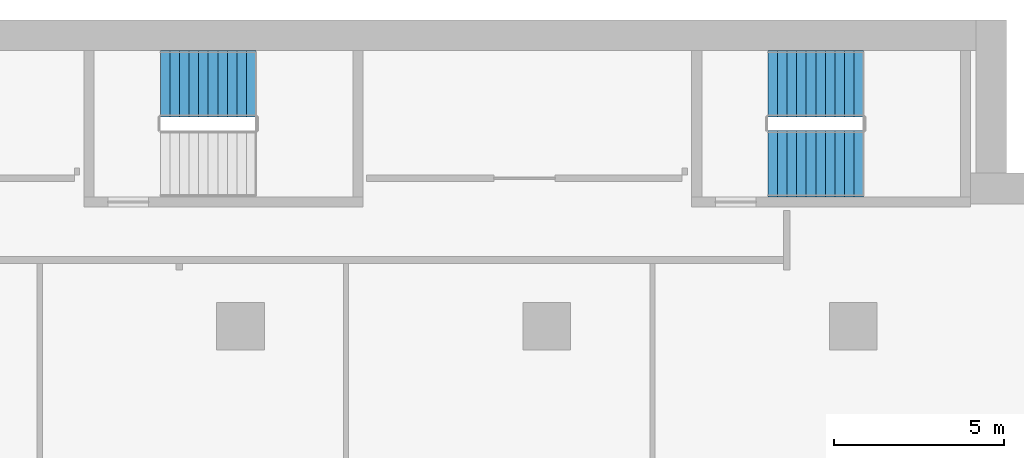
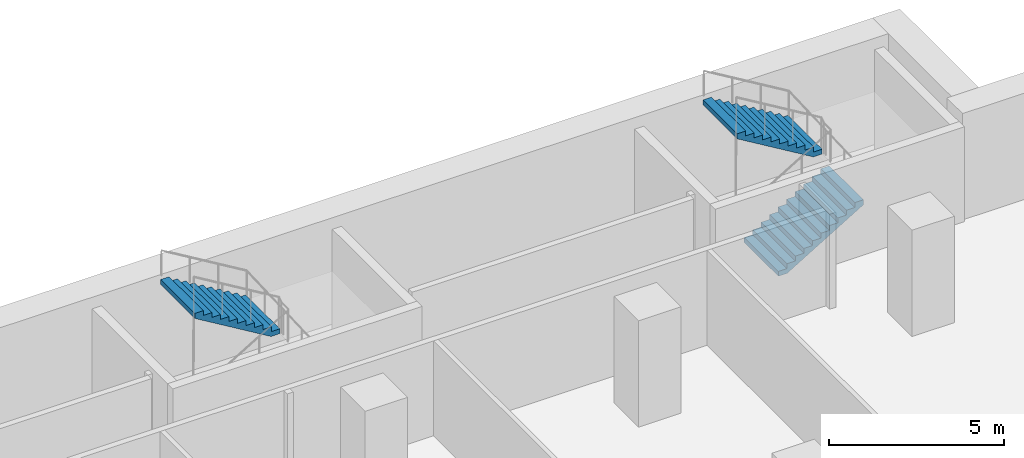
# One storey, part 23 of 29: 3 stair flights, 2 elements without a shape of their own.
"""IFC4 building model written with IfcOpenShell, lengths in metres."""

from ifc_helpers import new_model, si_unit, direction, frame, origin, place, context, subcontext, project, spatial, polyline, outline, extrude, material, type_object, element, aggregate, save


model = new_model("IFC4")

# Units and contexts
model_context = context("Model", 3, precision=1e-05, world=origin(), true_north=direction((0.0, 1.0)))
body_context = subcontext(model_context, "Body", "Model", "MODEL_VIEW")
ifc_project = project(units=[si_unit("LENGTHUNIT", "METRE"), si_unit("AREAUNIT", "SQUARE_METRE"), si_unit("VOLUMEUNIT", "CUBIC_METRE"), si_unit("PLANEANGLEUNIT", "RADIAN"), si_unit("MASSUNIT", "GRAM", prefix="KILO")], contexts=[model_context])

# Site, building, storey
site_placement = place(None, origin())
site = spatial("IfcSite", under=ifc_project, at=site_placement, CompositionType="ELEMENT")
building_placement = place(site_placement, origin())
building = spatial("IfcBuilding", under=site, at=building_placement, Name="Hunhe Ridgeline Campus", CompositionType="ELEMENT")
storey_placement = place(building_placement, frame((0.0, 0.0, 54.300048828125)))
storey = spatial("IfcBuildingStorey", under=building, at=storey_placement, Name="L12", CompositionType="ELEMENT", Elevation=54.300048828125)

# Stair, stair flight
ifc_material = material(Name="Concrete C40", Category="concrete")
stair_type = type_object("IfcStairType", Name="Reinforced concrete dog-leg stair 1950 Concrete C40", PredefinedType="HALF_TURN_STAIR", material=ifc_material)
stair_1_placement = place(storey_placement, origin())
stair_1 = element("IfcStair", 1, at=stair_1_placement, inside=storey, type_object=stair_type, Name="L12 E3", PredefinedType="HALF_TURN_STAIR")
stair_flight_type = type_object("IfcStairFlightType", Name="Reinforced concrete stair flight 1950 Concrete C40", PredefinedType="STRAIGHT", material=ifc_material)
stair_flight_1_placement = place(storey_placement, frame((72.449951171875, 97.125, 1.849853515625), z_axis=(0.0, 0.0, 1.0), x_axis=(-1.0, 0.0, 0.0)))
stair_flight_1 = element("IfcStairFlight", 2, at=stair_flight_1_placement, type_object=stair_flight_type, Name="ST7 flight 2", NumberOfRisers=11, NumberOfTreads=10, PredefinedType="STRAIGHT", RiserHeight=0.168181818, TreadLength=0.28, context=body_context, shape_type="SweptSolid", body=[
    extrude(outline(polyline([(0.0, 0.0), (0.0, 0.168212890625), (0.280029296875, 0.168212890625), (0.280029296875, 0.33642578125), (0.56005859375, 0.33642578125), (0.56005859375, 0.504638671875), (0.840087890625, 0.504638671875), (0.840087890625, 0.672607421875), (1.1201171875, 0.672607421875), (1.1201171875, 0.8408203125), (1.39990234375, 0.8408203125), (1.39990234375, 1.009033203125), (1.679931640625, 1.009033203125), (1.679931640625, 1.17724609375), (1.9599609375, 1.17724609375), (1.9599609375, 1.345458984375), (2.239990234375, 1.345458984375), (2.239990234375, 1.513671875), (2.52001953125, 1.513671875), (2.52001953125, 1.681884765625), (2.800048828125, 1.681884765625), (2.800048828125, 1.85009765625), (2.800048828125, 1.5068359375), (0.291015625, 0.0), (0.0, 0.0)])), frame((0.0, 0.97509765625, 0.0), z_axis=(0.0, -1.0, 0.0), x_axis=(1.0, 0.0, 0.0)), (0.0, 0.0, 1.0), 1.949951171875),
    extrude(outline(polyline([(0.030029296875, 0.030029296875), (0.030029296875, 0.13818359375), (0.31005859375, 0.13818359375), (0.31005859375, 0.306396484375), (0.590087890625, 0.306396484375), (0.590087890625, 0.474609375), (0.8701171875, 0.474609375), (0.8701171875, 0.642578125), (1.14990234375, 0.642578125), (1.14990234375, 0.810791015625), (1.429931640625, 0.810791015625), (1.429931640625, 0.97900390625), (1.7099609375, 0.97900390625), (1.7099609375, 1.147216796875), (1.989990234375, 1.147216796875), (1.989990234375, 1.3154296875), (2.27001953125, 1.3154296875), (2.27001953125, 1.483642578125), (2.550048828125, 1.483642578125), (2.550048828125, 1.65185546875), (2.77001953125, 1.65185546875), (2.77001953125, 1.52392578125), (0.28271484375, 0.030029296875), (0.030029296875, 0.030029296875)])), frame((0.0, -0.070068359375, 0.0), z_axis=(0.0, -1.0, 0.0), x_axis=(1.0, 0.0, 0.0)), (0.0, 0.0, 1.0), 0.019775390625),
    extrude(outline(polyline([(0.030029296875, 0.030029296875), (0.030029296875, 0.13818359375), (0.31005859375, 0.13818359375), (0.31005859375, 0.306396484375), (0.590087890625, 0.306396484375), (0.590087890625, 0.474609375), (0.8701171875, 0.474609375), (0.8701171875, 0.642578125), (1.14990234375, 0.642578125), (1.14990234375, 0.810791015625), (1.429931640625, 0.810791015625), (1.429931640625, 0.97900390625), (1.7099609375, 0.97900390625), (1.7099609375, 1.147216796875), (1.989990234375, 1.147216796875), (1.989990234375, 1.3154296875), (2.27001953125, 1.3154296875), (2.27001953125, 1.483642578125), (2.550048828125, 1.483642578125), (2.550048828125, 1.65185546875), (2.77001953125, 1.65185546875), (2.77001953125, 1.52392578125), (0.28271484375, 0.030029296875), (0.030029296875, 0.030029296875)])), frame((0.0, 0.010009765625, 0.0), z_axis=(0.0, -1.0, 0.0), x_axis=(1.0, 0.0, 0.0)), (0.0, 0.0, 1.0), 0.019775390625),
    extrude(outline(polyline([(0.030029296875, 0.030029296875), (0.030029296875, 0.13818359375), (0.31005859375, 0.13818359375), (0.31005859375, 0.306396484375), (0.590087890625, 0.306396484375), (0.590087890625, 0.474609375), (0.8701171875, 0.474609375), (0.8701171875, 0.642578125), (1.14990234375, 0.642578125), (1.14990234375, 0.810791015625), (1.429931640625, 0.810791015625), (1.429931640625, 0.97900390625), (1.7099609375, 0.97900390625), (1.7099609375, 1.147216796875), (1.989990234375, 1.147216796875), (1.989990234375, 1.3154296875), (2.27001953125, 1.3154296875), (2.27001953125, 1.483642578125), (2.550048828125, 1.483642578125), (2.550048828125, 1.65185546875), (2.77001953125, 1.65185546875), (2.77001953125, 1.52392578125), (0.28271484375, 0.030029296875), (0.030029296875, 0.030029296875)])), frame((0.0, 0.090087890625, 0.0), z_axis=(0.0, -1.0, 0.0), x_axis=(1.0, 0.0, 0.0)), (0.0, 0.0, 1.0), 0.019775390625),
])
aggregate(stair_1, [stair_flight_1])

# Stair, stair flights
stair_2_placement = place(storey_placement, origin())
stair_2 = element("IfcStair", 3, at=stair_2_placement, inside=storey, type_object=stair_type, Name="L12 E4", PredefinedType="HALF_TURN_STAIR")
stair_flight_2_placement = place(storey_placement, frame((87.5, 94.77490234375, 0.0), z_axis=(0.0, 0.0, 1.0), x_axis=(1.0, 0.0, 0.0)))
stair_flight_2 = element("IfcStairFlight", 4, at=stair_flight_2_placement, type_object=stair_flight_type, Name="ST8 flight 1", NumberOfRisers=11, NumberOfTreads=10, PredefinedType="STRAIGHT", RiserHeight=0.168181818, TreadLength=0.28, context=body_context, shape_type="SweptSolid", body=[
    extrude(outline(polyline([(0.0, 0.0), (0.0, 0.168212890625), (0.280029296875, 0.168212890625), (0.280029296875, 0.33642578125), (0.56005859375, 0.33642578125), (0.56005859375, 0.504638671875), (0.840087890625, 0.504638671875), (0.840087890625, 0.672607421875), (1.1201171875, 0.672607421875), (1.1201171875, 0.8408203125), (1.39990234375, 0.8408203125), (1.39990234375, 1.009033203125), (1.679931640625, 1.009033203125), (1.679931640625, 1.17724609375), (1.9599609375, 1.17724609375), (1.9599609375, 1.345458984375), (2.239990234375, 1.345458984375), (2.239990234375, 1.513671875), (2.52001953125, 1.513671875), (2.52001953125, 1.681884765625), (2.800048828125, 1.681884765625), (2.800048828125, 1.85009765625), (2.800048828125, 1.5068359375), (0.291015625, 0.0), (0.0, 0.0)])), frame((0.0, 0.97509765625, 0.0), z_axis=(0.0, -1.0, 0.0), x_axis=(1.0, 0.0, 0.0)), (0.0, 0.0, 1.0), 1.949951171875),
    extrude(outline(polyline([(0.030029296875, 0.030029296875), (0.030029296875, 0.13818359375), (0.31005859375, 0.13818359375), (0.31005859375, 0.306396484375), (0.590087890625, 0.306396484375), (0.590087890625, 0.474609375), (0.8701171875, 0.474609375), (0.8701171875, 0.642578125), (1.14990234375, 0.642578125), (1.14990234375, 0.810791015625), (1.429931640625, 0.810791015625), (1.429931640625, 0.97900390625), (1.7099609375, 0.97900390625), (1.7099609375, 1.147216796875), (1.989990234375, 1.147216796875), (1.989990234375, 1.3154296875), (2.27001953125, 1.3154296875), (2.27001953125, 1.483642578125), (2.550048828125, 1.483642578125), (2.550048828125, 1.65185546875), (2.77001953125, 1.65185546875), (2.77001953125, 1.52392578125), (0.28271484375, 0.030029296875), (0.030029296875, 0.030029296875)])), frame((0.0, -0.070068359375, 0.0), z_axis=(0.0, -1.0, 0.0), x_axis=(1.0, 0.0, 0.0)), (0.0, 0.0, 1.0), 0.019775390625),
    extrude(outline(polyline([(0.030029296875, 0.030029296875), (0.030029296875, 0.13818359375), (0.31005859375, 0.13818359375), (0.31005859375, 0.306396484375), (0.590087890625, 0.306396484375), (0.590087890625, 0.474609375), (0.8701171875, 0.474609375), (0.8701171875, 0.642578125), (1.14990234375, 0.642578125), (1.14990234375, 0.810791015625), (1.429931640625, 0.810791015625), (1.429931640625, 0.97900390625), (1.7099609375, 0.97900390625), (1.7099609375, 1.147216796875), (1.989990234375, 1.147216796875), (1.989990234375, 1.3154296875), (2.27001953125, 1.3154296875), (2.27001953125, 1.483642578125), (2.550048828125, 1.483642578125), (2.550048828125, 1.65185546875), (2.77001953125, 1.65185546875), (2.77001953125, 1.52392578125), (0.28271484375, 0.030029296875), (0.030029296875, 0.030029296875)])), frame((0.0, 0.010009765625, 0.0), z_axis=(0.0, -1.0, 0.0), x_axis=(1.0, 0.0, 0.0)), (0.0, 0.0, 1.0), 0.019775390625),
    extrude(outline(polyline([(0.030029296875, 0.030029296875), (0.030029296875, 0.13818359375), (0.31005859375, 0.13818359375), (0.31005859375, 0.306396484375), (0.590087890625, 0.306396484375), (0.590087890625, 0.474609375), (0.8701171875, 0.474609375), (0.8701171875, 0.642578125), (1.14990234375, 0.642578125), (1.14990234375, 0.810791015625), (1.429931640625, 0.810791015625), (1.429931640625, 0.97900390625), (1.7099609375, 0.97900390625), (1.7099609375, 1.147216796875), (1.989990234375, 1.147216796875), (1.989990234375, 1.3154296875), (2.27001953125, 1.3154296875), (2.27001953125, 1.483642578125), (2.550048828125, 1.483642578125), (2.550048828125, 1.65185546875), (2.77001953125, 1.65185546875), (2.77001953125, 1.52392578125), (0.28271484375, 0.030029296875), (0.030029296875, 0.030029296875)])), frame((0.0, 0.090087890625, 0.0), z_axis=(0.0, -1.0, 0.0), x_axis=(1.0, 0.0, 0.0)), (0.0, 0.0, 1.0), 0.019775390625),
])
stair_flight_3_placement = place(storey_placement, frame((90.300048828125, 97.125, 1.849853515625), z_axis=(0.0, 0.0, 1.0), x_axis=(-1.0, 0.0, 0.0)))
stair_flight_3 = element("IfcStairFlight", 5, at=stair_flight_3_placement, type_object=stair_flight_type, Name="ST8 flight 2", NumberOfRisers=11, NumberOfTreads=10, PredefinedType="STRAIGHT", RiserHeight=0.168181818, TreadLength=0.28, context=body_context, shape_type="SweptSolid", body=[
    extrude(outline(polyline([(0.0, 0.0), (0.0, 0.168212890625), (0.280029296875, 0.168212890625), (0.280029296875, 0.33642578125), (0.56005859375, 0.33642578125), (0.56005859375, 0.504638671875), (0.840087890625, 0.504638671875), (0.840087890625, 0.672607421875), (1.1201171875, 0.672607421875), (1.1201171875, 0.8408203125), (1.39990234375, 0.8408203125), (1.39990234375, 1.009033203125), (1.679931640625, 1.009033203125), (1.679931640625, 1.17724609375), (1.9599609375, 1.17724609375), (1.9599609375, 1.345458984375), (2.239990234375, 1.345458984375), (2.239990234375, 1.513671875), (2.52001953125, 1.513671875), (2.52001953125, 1.681884765625), (2.800048828125, 1.681884765625), (2.800048828125, 1.85009765625), (2.800048828125, 1.5068359375), (0.291015625, 0.0), (0.0, 0.0)])), frame((0.0, 0.97509765625, 0.0), z_axis=(0.0, -1.0, 0.0), x_axis=(1.0, 0.0, 0.0)), (0.0, 0.0, 1.0), 1.949951171875),
    extrude(outline(polyline([(0.030029296875, 0.030029296875), (0.030029296875, 0.13818359375), (0.31005859375, 0.13818359375), (0.31005859375, 0.306396484375), (0.590087890625, 0.306396484375), (0.590087890625, 0.474609375), (0.8701171875, 0.474609375), (0.8701171875, 0.642578125), (1.14990234375, 0.642578125), (1.14990234375, 0.810791015625), (1.429931640625, 0.810791015625), (1.429931640625, 0.97900390625), (1.7099609375, 0.97900390625), (1.7099609375, 1.147216796875), (1.989990234375, 1.147216796875), (1.989990234375, 1.3154296875), (2.27001953125, 1.3154296875), (2.27001953125, 1.483642578125), (2.550048828125, 1.483642578125), (2.550048828125, 1.65185546875), (2.77001953125, 1.65185546875), (2.77001953125, 1.52392578125), (0.28271484375, 0.030029296875), (0.030029296875, 0.030029296875)])), frame((0.0, -0.070068359375, 0.0), z_axis=(0.0, -1.0, 0.0), x_axis=(1.0, 0.0, 0.0)), (0.0, 0.0, 1.0), 0.019775390625),
    extrude(outline(polyline([(0.030029296875, 0.030029296875), (0.030029296875, 0.13818359375), (0.31005859375, 0.13818359375), (0.31005859375, 0.306396484375), (0.590087890625, 0.306396484375), (0.590087890625, 0.474609375), (0.8701171875, 0.474609375), (0.8701171875, 0.642578125), (1.14990234375, 0.642578125), (1.14990234375, 0.810791015625), (1.429931640625, 0.810791015625), (1.429931640625, 0.97900390625), (1.7099609375, 0.97900390625), (1.7099609375, 1.147216796875), (1.989990234375, 1.147216796875), (1.989990234375, 1.3154296875), (2.27001953125, 1.3154296875), (2.27001953125, 1.483642578125), (2.550048828125, 1.483642578125), (2.550048828125, 1.65185546875), (2.77001953125, 1.65185546875), (2.77001953125, 1.52392578125), (0.28271484375, 0.030029296875), (0.030029296875, 0.030029296875)])), frame((0.0, 0.010009765625, 0.0), z_axis=(0.0, -1.0, 0.0), x_axis=(1.0, 0.0, 0.0)), (0.0, 0.0, 1.0), 0.019775390625),
    extrude(outline(polyline([(0.030029296875, 0.030029296875), (0.030029296875, 0.13818359375), (0.31005859375, 0.13818359375), (0.31005859375, 0.306396484375), (0.590087890625, 0.306396484375), (0.590087890625, 0.474609375), (0.8701171875, 0.474609375), (0.8701171875, 0.642578125), (1.14990234375, 0.642578125), (1.14990234375, 0.810791015625), (1.429931640625, 0.810791015625), (1.429931640625, 0.97900390625), (1.7099609375, 0.97900390625), (1.7099609375, 1.147216796875), (1.989990234375, 1.147216796875), (1.989990234375, 1.3154296875), (2.27001953125, 1.3154296875), (2.27001953125, 1.483642578125), (2.550048828125, 1.483642578125), (2.550048828125, 1.65185546875), (2.77001953125, 1.65185546875), (2.77001953125, 1.52392578125), (0.28271484375, 0.030029296875), (0.030029296875, 0.030029296875)])), frame((0.0, 0.090087890625, 0.0), z_axis=(0.0, -1.0, 0.0), x_axis=(1.0, 0.0, 0.0)), (0.0, 0.0, 1.0), 0.019775390625),
])
aggregate(stair_2, [stair_flight_2, stair_flight_3])

save(model, "model.ifc")
